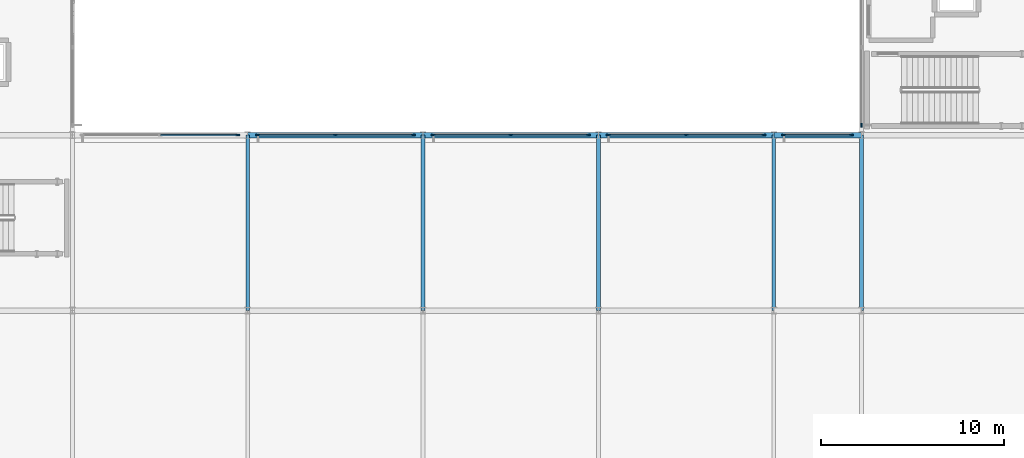
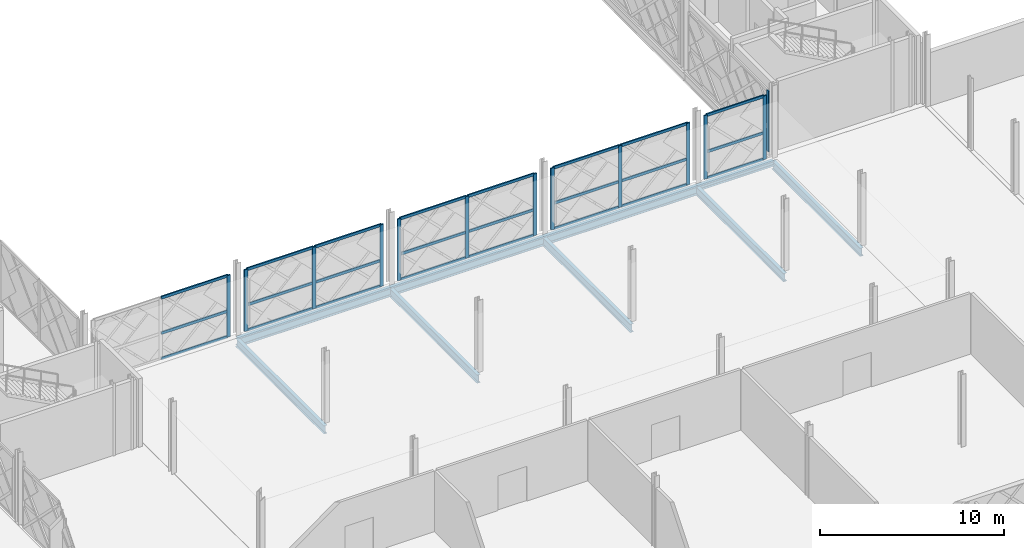
# One storey, part 25 of 77: 37 members, 9 beams, 6 elements without a shape of their own.
"""IFC4 building model written with IfcOpenShell, lengths in metres."""

from ifc_helpers import new_model, si_unit, direction, frame, origin, origin_2d, place, context, subcontext, project, spatial, rectangle, i_section, extrude, material, layer, layer_set, material_profile, profile_set, type_object, element, aggregate, save


model = new_model("IFC4")

# Units and contexts
model_context = context("Model", 3, precision=1e-05, world=origin(), true_north=direction((0.0, 1.0)))
body_context = subcontext(model_context, "Body", "Model", "MODEL_VIEW")
ifc_project = project(units=[si_unit("LENGTHUNIT", "METRE"), si_unit("AREAUNIT", "SQUARE_METRE"), si_unit("VOLUMEUNIT", "CUBIC_METRE"), si_unit("PLANEANGLEUNIT", "RADIAN"), si_unit("MASSUNIT", "GRAM", prefix="KILO")], contexts=[model_context])

# Site, building, storey
site_placement = place(None, origin())
site = spatial("IfcSite", under=ifc_project, at=site_placement, CompositionType="ELEMENT")
building_placement = place(site_placement, origin())
building = spatial("IfcBuilding", under=site, at=building_placement, Name="Zevrakil Square Congress Hotel", CompositionType="ELEMENT")
storey_placement = place(building_placement, frame((0.0, 0.0, 9.89990234375)))
storey = spatial("IfcBuildingStorey", under=building, at=storey_placement, Name="L03", CompositionType="ELEMENT", Elevation=9.89990234375)

# Beams
ifc_material_1 = material(Name="Steel S355", Category="steel")
ifc_material_profile_1 = material_profile(ifc_material_1, i_section(OverallWidth=0.300048828125, OverallDepth=0.31005859375, WebThickness=0.009033203125, FlangeThickness=0.015380859375, FilletRadius=0.027099609375, at=origin_2d()), Name="HEA 320")
ifc_profile_set_1 = profile_set([ifc_material_profile_1], Name="Steel S355")
beam_type_1 = type_object("IfcBeamType", Name="BM-HEA320", PredefinedType="BEAM", material=ifc_profile_set_1)
beam_1_placement = place(storey_placement, frame((103.199951171875, 45.60009765625, -0.414794921875), z_axis=(1.0, 0.0, 0.0), x_axis=(0.0, 1.0, 0.0)))
element("IfcBeam", 1, at=beam_1_placement, inside=storey, type_object=beam_type_1, Name="L03 primary girder BX-1028", PredefinedType="BEAM", context=body_context, shape_type="SweptSolid", body=[
    extrude(i_section(OverallWidth=0.300048828125, OverallDepth=0.31005859375, WebThickness=0.009033203125, FlangeThickness=0.015380859375, FilletRadius=0.027099609375, at=origin_2d()), origin(), (0.0, 0.0, 1.0), 4.800048828125),
])
ifc_material_2 = material(Name="Steel S355", Category="steel")
ifc_material_profile_2 = material_profile(ifc_material_2, i_section(OverallWidth=0.300048828125, OverallDepth=0.5400390625, WebThickness=0.012451171875, FlangeThickness=0.02392578125, FilletRadius=0.027099609375, at=origin_2d()), Name="HEA 550")
ifc_profile_set_2 = profile_set([ifc_material_profile_2], Name="Steel S355")
beam_type_2 = type_object("IfcBeamType", Name="BM-HEA550", PredefinedType="BEAM", material=ifc_profile_set_2)
for number, where, z_axis, x_axis, name in (
    (2, (74.39990234375, 45.60009765625, -0.52978515625), (1.0, 0.0, 0.0), (0.0, 1.0, 0.0), "L03 primary girder BX-1025"),
    (3, (84.0, 45.60009765625, -0.52978515625), (1.0, 0.0, 0.0), (0.0, 1.0, 0.0), "L03 primary girder BX-1026"),
):
    element("IfcBeam", number, at=place(storey_placement, frame(where, z_axis=z_axis, x_axis=x_axis)), inside=storey, type_object=beam_type_2, Name=name, PredefinedType="BEAM", context=body_context, shape_type="SweptSolid", body=[
        extrude(i_section(OverallWidth=0.300048828125, OverallDepth=0.5400390625, WebThickness=0.012451171875, FlangeThickness=0.02392578125, FilletRadius=0.027099609375, at=origin_2d()), origin(), (0.0, 0.0, 1.0), 9.60009765625),
    ])
beam_2_placement = place(storey_placement, frame((93.60009765625, 45.60009765625, -0.52978515625), z_axis=(1.0, 0.0, 0.0), x_axis=(0.0, 1.0, 0.0)))
element("IfcBeam", 4, at=beam_2_placement, inside=storey, type_object=beam_type_2, Name="L03 primary girder BX-1027", PredefinedType="BEAM", context=body_context, shape_type="SweptSolid", body=[
    extrude(i_section(OverallWidth=0.300048828125, OverallDepth=0.5400390625, WebThickness=0.012451171875, FlangeThickness=0.02392578125, FilletRadius=0.027099609375, at=origin_2d()), origin(), (0.0, 0.0, 1.0), 9.599853515625),
])
ifc_material_3 = material(Name="Steel S355", Category="steel")
ifc_material_profile_3 = material_profile(ifc_material_3, i_section(OverallWidth=0.2099609375, OverallDepth=0.550048828125, WebThickness=0.010986328125, FlangeThickness=0.01708984375, FilletRadius=0.02392578125, at=origin_2d()), Name="IPE 550")
ifc_profile_set_3 = profile_set([ifc_material_profile_3], Name="Steel S355")
beam_type_3 = type_object("IfcBeamType", Name="BM-IPE550", PredefinedType="BEAM", material=ifc_profile_set_3)
for number, where, z_axis, x_axis, name in (
    (5, (74.39990234375, 36.0, -0.534912109375), (0.0, 1.0, 0.0), (-1.0, 0.0, 0.0), "L03 primary girder BY-1125"),
    (6, (84.0, 36.0, -0.534912109375), (0.0, 1.0, 0.0), (-1.0, 0.0, 0.0), "L03 primary girder BY-1132"),
    (7, (93.60009765625, 36.0, -0.534912109375), (0.0, 1.0, 0.0), (-1.0, 0.0, 0.0), "L03 primary girder BY-1139"),
    (8, (103.199951171875, 36.0, -0.534912109375), (0.0, 1.0, 0.0), (-1.0, 0.0, 0.0), "L03 primary girder BY-1146"),
    (9, (108.0, 36.0, -0.534912109375), (0.0, 1.0, 0.0), (-1.0, 0.0, 0.0), "L03 primary girder BY-1153"),
):
    element("IfcBeam", number, at=place(storey_placement, frame(where, z_axis=z_axis, x_axis=x_axis)), inside=storey, type_object=beam_type_3, Name=name, PredefinedType="BEAM", context=body_context, shape_type="SweptSolid", body=[
        extrude(i_section(OverallWidth=0.2099609375, OverallDepth=0.550048828125, WebThickness=0.010986328125, FlangeThickness=0.01708984375, FilletRadius=0.02392578125, at=origin_2d()), origin(), (0.0, 0.0, 1.0), 9.60009765625),
    ])

# Curtain wall, members
ifc_material_4 = material(Name="Aluminium Anodised Bronze", Category="aluminium")
ifc_layer_1 = layer(ifc_material_4, 0.179931640625)
ifc_layer_set_1 = layer_set([ifc_layer_1], Name="Aluminium Anodised Bronze")
curtain_wall_type_1 = type_object("IfcCurtainWallType", Name="CW-L03-840", PredefinedType="USERDEFINED", material=ifc_layer_set_1)
curtain_wall_1_placement = place(storey_placement, origin())
curtain_wall_1 = element("IfcCurtainWall", 10, at=curtain_wall_1_placement, inside=storey, type_object=curtain_wall_type_1, Name="L03 diamond curtain wall CW-L03-0100", ObjectType="GLAZED CURTAIN WALL", PredefinedType="USERDEFINED")
ifc_material_5 = material(Name="Aluminium Anodised Bronze", Category="aluminium")
ifc_material_profile_4 = material_profile(ifc_material_5, rectangle(XDim=0.0849609375, YDim=0.179931640625, at=origin_2d()), Name="ALU 85x180")
ifc_profile_set_4 = profile_set([ifc_material_profile_4], Name="Aluminium Anodised Bronze")
member_type_1 = type_object("IfcMemberType", Name="CWM-ALU85x180", PredefinedType="USERDEFINED", material=ifc_profile_set_4)
member_1_placement = place(storey_placement, frame((69.6298828125, 45.60009765625, 0.030029296875), z_axis=(1.0, 0.0, 0.0), x_axis=(0.0, 1.0, 0.0)))
member_1 = element("IfcMember", 11, at=member_1_placement, type_object=member_type_1, Name="CW-35 transom 2.1", ObjectType="TRANSOM", PredefinedType="USERDEFINED", context=body_context, shape_type="SweptSolid", body=[
    extrude(rectangle(XDim=0.0849609375, YDim=0.179931640625, at=origin_2d()), origin(), (0.0, 0.0, 1.0), 4.190185546875),
])
member_2_placement = place(storey_placement, frame((69.6298828125, 45.60009765625, 1.7158203125), z_axis=(1.0, 0.0, 0.0), x_axis=(0.0, 1.0, 0.0)))
member_2 = element("IfcMember", 12, at=member_2_placement, type_object=member_type_1, Name="CW-35 transom 2.2", ObjectType="TRANSOM", PredefinedType="USERDEFINED", context=body_context, shape_type="SweptSolid", body=[
    extrude(rectangle(XDim=0.0849609375, YDim=0.179931640625, at=origin_2d()), origin(), (0.0, 0.0, 1.0), 4.190185546875),
])
member_3_placement = place(storey_placement, frame((69.6298828125, 45.60009765625, 4.05517578125), z_axis=(1.0, 0.0, 0.0), x_axis=(0.0, 1.0, 0.0)))
member_3 = element("IfcMember", 13, at=member_3_placement, type_object=member_type_1, Name="CW-35 transom 2.3", ObjectType="TRANSOM", PredefinedType="USERDEFINED", context=body_context, shape_type="SweptSolid", body=[
    extrude(rectangle(XDim=0.0849609375, YDim=0.179931640625, at=origin_2d()), origin(), (0.0, 0.0, 1.0), 4.190185546875),
])

curtain_wall_2_placement = place(storey_placement, origin())
curtain_wall_2 = element("IfcCurtainWall", 14, at=curtain_wall_2_placement, inside=storey, type_object=curtain_wall_type_1, Name="L03 diamond curtain wall CW-L03-0104", ObjectType="GLAZED CURTAIN WALL", PredefinedType="USERDEFINED")
member_4_placement = place(storey_placement, frame((74.97998046875, 45.60009765625, 0.030029296875), z_axis=(1.0, 0.0, 0.0), x_axis=(0.0, 1.0, 0.0)))
member_4 = element("IfcMember", 15, at=member_4_placement, type_object=member_type_1, Name="CW-35 transom 1.1", ObjectType="TRANSOM", PredefinedType="USERDEFINED", context=body_context, shape_type="SweptSolid", body=[
    extrude(rectangle(XDim=0.0849609375, YDim=0.179931640625, at=origin_2d()), origin(), (0.0, 0.0, 1.0), 4.18994140625),
])
member_5_placement = place(storey_placement, frame((74.97998046875, 45.60009765625, 1.7158203125), z_axis=(1.0, 0.0, 0.0), x_axis=(0.0, 1.0, 0.0)))
member_5 = element("IfcMember", 16, at=member_5_placement, type_object=member_type_1, Name="CW-35 transom 1.2", ObjectType="TRANSOM", PredefinedType="USERDEFINED", context=body_context, shape_type="SweptSolid", body=[
    extrude(rectangle(XDim=0.0849609375, YDim=0.179931640625, at=origin_2d()), origin(), (0.0, 0.0, 1.0), 4.18994140625),
])
member_6_placement = place(storey_placement, frame((74.97998046875, 45.60009765625, 4.05517578125), z_axis=(1.0, 0.0, 0.0), x_axis=(0.0, 1.0, 0.0)))
member_6 = element("IfcMember", 17, at=member_6_placement, type_object=member_type_1, Name="CW-35 transom 1.3", ObjectType="TRANSOM", PredefinedType="USERDEFINED", context=body_context, shape_type="SweptSolid", body=[
    extrude(rectangle(XDim=0.0849609375, YDim=0.179931640625, at=origin_2d()), origin(), (0.0, 0.0, 1.0), 4.18994140625),
])
member_7_placement = place(storey_placement, frame((79.22998046875, 45.60009765625, 0.030029296875), z_axis=(1.0, 0.0, 0.0), x_axis=(0.0, 1.0, 0.0)))
member_7 = element("IfcMember", 18, at=member_7_placement, type_object=member_type_1, Name="CW-35 transom 2.1", ObjectType="TRANSOM", PredefinedType="USERDEFINED", context=body_context, shape_type="SweptSolid", body=[
    extrude(rectangle(XDim=0.0849609375, YDim=0.179931640625, at=origin_2d()), origin(), (0.0, 0.0, 1.0), 4.18994140625),
])
member_8_placement = place(storey_placement, frame((79.22998046875, 45.60009765625, 1.7158203125), z_axis=(1.0, 0.0, 0.0), x_axis=(0.0, 1.0, 0.0)))
member_8 = element("IfcMember", 19, at=member_8_placement, type_object=member_type_1, Name="CW-35 transom 2.2", ObjectType="TRANSOM", PredefinedType="USERDEFINED", context=body_context, shape_type="SweptSolid", body=[
    extrude(rectangle(XDim=0.0849609375, YDim=0.179931640625, at=origin_2d()), origin(), (0.0, 0.0, 1.0), 4.18994140625),
])
member_9_placement = place(storey_placement, frame((79.22998046875, 45.60009765625, 4.05517578125), z_axis=(1.0, 0.0, 0.0), x_axis=(0.0, 1.0, 0.0)))
member_9 = element("IfcMember", 20, at=member_9_placement, type_object=member_type_1, Name="CW-35 transom 2.3", ObjectType="TRANSOM", PredefinedType="USERDEFINED", context=body_context, shape_type="SweptSolid", body=[
    extrude(rectangle(XDim=0.0849609375, YDim=0.179931640625, at=origin_2d()), origin(), (0.0, 0.0, 1.0), 4.18994140625),
])

curtain_wall_3_placement = place(storey_placement, origin())
curtain_wall_3 = element("IfcCurtainWall", 21, at=curtain_wall_3_placement, inside=storey, type_object=curtain_wall_type_1, Name="L03 diamond curtain wall CW-L03-0108", ObjectType="GLAZED CURTAIN WALL", PredefinedType="USERDEFINED")
member_10_placement = place(storey_placement, frame((84.580078125, 45.60009765625, 0.030029296875), z_axis=(1.0, 0.0, 0.0), x_axis=(0.0, 1.0, 0.0)))
member_10 = element("IfcMember", 22, at=member_10_placement, type_object=member_type_1, Name="CW-35 transom 1.1", ObjectType="TRANSOM", PredefinedType="USERDEFINED", context=body_context, shape_type="SweptSolid", body=[
    extrude(rectangle(XDim=0.0849609375, YDim=0.179931640625, at=origin_2d()), origin(), (0.0, 0.0, 1.0), 4.18994140625),
])
member_11_placement = place(storey_placement, frame((84.580078125, 45.60009765625, 1.7158203125), z_axis=(1.0, 0.0, 0.0), x_axis=(0.0, 1.0, 0.0)))
member_11 = element("IfcMember", 23, at=member_11_placement, type_object=member_type_1, Name="CW-35 transom 1.2", ObjectType="TRANSOM", PredefinedType="USERDEFINED", context=body_context, shape_type="SweptSolid", body=[
    extrude(rectangle(XDim=0.0849609375, YDim=0.179931640625, at=origin_2d()), origin(), (0.0, 0.0, 1.0), 4.18994140625),
])
member_12_placement = place(storey_placement, frame((84.580078125, 45.60009765625, 4.05517578125), z_axis=(1.0, 0.0, 0.0), x_axis=(0.0, 1.0, 0.0)))
member_12 = element("IfcMember", 24, at=member_12_placement, type_object=member_type_1, Name="CW-35 transom 1.3", ObjectType="TRANSOM", PredefinedType="USERDEFINED", context=body_context, shape_type="SweptSolid", body=[
    extrude(rectangle(XDim=0.0849609375, YDim=0.179931640625, at=origin_2d()), origin(), (0.0, 0.0, 1.0), 4.18994140625),
])
member_13_placement = place(storey_placement, frame((88.830078125, 45.60009765625, 0.030029296875), z_axis=(1.0, 0.0, 0.0), x_axis=(0.0, 1.0, 0.0)))
member_13 = element("IfcMember", 25, at=member_13_placement, type_object=member_type_1, Name="CW-35 transom 2.1", ObjectType="TRANSOM", PredefinedType="USERDEFINED", context=body_context, shape_type="SweptSolid", body=[
    extrude(rectangle(XDim=0.0849609375, YDim=0.179931640625, at=origin_2d()), origin(), (0.0, 0.0, 1.0), 4.18994140625),
])
member_14_placement = place(storey_placement, frame((88.830078125, 45.60009765625, 1.7158203125), z_axis=(1.0, 0.0, 0.0), x_axis=(0.0, 1.0, 0.0)))
member_14 = element("IfcMember", 26, at=member_14_placement, type_object=member_type_1, Name="CW-35 transom 2.2", ObjectType="TRANSOM", PredefinedType="USERDEFINED", context=body_context, shape_type="SweptSolid", body=[
    extrude(rectangle(XDim=0.0849609375, YDim=0.179931640625, at=origin_2d()), origin(), (0.0, 0.0, 1.0), 4.18994140625),
])
member_15_placement = place(storey_placement, frame((88.830078125, 45.60009765625, 4.05517578125), z_axis=(1.0, 0.0, 0.0), x_axis=(0.0, 1.0, 0.0)))
member_15 = element("IfcMember", 27, at=member_15_placement, type_object=member_type_1, Name="CW-35 transom 2.3", ObjectType="TRANSOM", PredefinedType="USERDEFINED", context=body_context, shape_type="SweptSolid", body=[
    extrude(rectangle(XDim=0.0849609375, YDim=0.179931640625, at=origin_2d()), origin(), (0.0, 0.0, 1.0), 4.18994140625),
])

curtain_wall_4_placement = place(storey_placement, origin())
curtain_wall_4 = element("IfcCurtainWall", 28, at=curtain_wall_4_placement, inside=storey, type_object=curtain_wall_type_1, Name="L03 diamond curtain wall CW-L03-0112", ObjectType="GLAZED CURTAIN WALL", PredefinedType="USERDEFINED")
member_16_placement = place(storey_placement, frame((94.179931640625, 45.60009765625, 0.030029296875), z_axis=(1.0, 0.0, 0.0), x_axis=(0.0, 1.0, 0.0)))
member_16 = element("IfcMember", 29, at=member_16_placement, type_object=member_type_1, Name="CW-35 transom 1.1", ObjectType="TRANSOM", PredefinedType="USERDEFINED", context=body_context, shape_type="SweptSolid", body=[
    extrude(rectangle(XDim=0.0849609375, YDim=0.179931640625, at=origin_2d()), origin(), (0.0, 0.0, 1.0), 4.190185546875),
])
member_17_placement = place(storey_placement, frame((94.179931640625, 45.60009765625, 1.7158203125), z_axis=(1.0, 0.0, 0.0), x_axis=(0.0, 1.0, 0.0)))
member_17 = element("IfcMember", 30, at=member_17_placement, type_object=member_type_1, Name="CW-35 transom 1.2", ObjectType="TRANSOM", PredefinedType="USERDEFINED", context=body_context, shape_type="SweptSolid", body=[
    extrude(rectangle(XDim=0.0849609375, YDim=0.179931640625, at=origin_2d()), origin(), (0.0, 0.0, 1.0), 4.190185546875),
])
member_18_placement = place(storey_placement, frame((94.179931640625, 45.60009765625, 4.05517578125), z_axis=(1.0, 0.0, 0.0), x_axis=(0.0, 1.0, 0.0)))
member_18 = element("IfcMember", 31, at=member_18_placement, type_object=member_type_1, Name="CW-35 transom 1.3", ObjectType="TRANSOM", PredefinedType="USERDEFINED", context=body_context, shape_type="SweptSolid", body=[
    extrude(rectangle(XDim=0.0849609375, YDim=0.179931640625, at=origin_2d()), origin(), (0.0, 0.0, 1.0), 4.190185546875),
])
member_19_placement = place(storey_placement, frame((98.429931640625, 45.60009765625, 0.030029296875), z_axis=(1.0, 0.0, 0.0), x_axis=(0.0, 1.0, 0.0)))
member_19 = element("IfcMember", 32, at=member_19_placement, type_object=member_type_1, Name="CW-35 transom 2.1", ObjectType="TRANSOM", PredefinedType="USERDEFINED", context=body_context, shape_type="SweptSolid", body=[
    extrude(rectangle(XDim=0.0849609375, YDim=0.179931640625, at=origin_2d()), origin(), (0.0, 0.0, 1.0), 4.190185546875),
])
member_20_placement = place(storey_placement, frame((98.429931640625, 45.60009765625, 1.7158203125), z_axis=(1.0, 0.0, 0.0), x_axis=(0.0, 1.0, 0.0)))
member_20 = element("IfcMember", 33, at=member_20_placement, type_object=member_type_1, Name="CW-35 transom 2.2", ObjectType="TRANSOM", PredefinedType="USERDEFINED", context=body_context, shape_type="SweptSolid", body=[
    extrude(rectangle(XDim=0.0849609375, YDim=0.179931640625, at=origin_2d()), origin(), (0.0, 0.0, 1.0), 4.190185546875),
])
member_21_placement = place(storey_placement, frame((98.429931640625, 45.60009765625, 4.05517578125), z_axis=(1.0, 0.0, 0.0), x_axis=(0.0, 1.0, 0.0)))
member_21 = element("IfcMember", 34, at=member_21_placement, type_object=member_type_1, Name="CW-35 transom 2.3", ObjectType="TRANSOM", PredefinedType="USERDEFINED", context=body_context, shape_type="SweptSolid", body=[
    extrude(rectangle(XDim=0.0849609375, YDim=0.179931640625, at=origin_2d()), origin(), (0.0, 0.0, 1.0), 4.190185546875),
])

ifc_material_6 = material(Name="Aluminium Anodised Bronze", Category="aluminium")
ifc_layer_2 = layer(ifc_material_6, 0.179931640625)
ifc_layer_set_2 = layer_set([ifc_layer_2], Name="Aluminium Anodised Bronze")
curtain_wall_type_2 = type_object("IfcCurtainWallType", Name="CW-L03-360", PredefinedType="USERDEFINED", material=ifc_layer_set_2)
curtain_wall_5_placement = place(storey_placement, origin())
curtain_wall_5 = element("IfcCurtainWall", 35, at=curtain_wall_5_placement, inside=storey, type_object=curtain_wall_type_2, Name="L03 diamond curtain wall CW-L03-0116", ObjectType="GLAZED CURTAIN WALL", PredefinedType="USERDEFINED")
member_22_placement = place(storey_placement, frame((103.780029296875, 45.60009765625, 0.030029296875), z_axis=(1.0, 0.0, 0.0), x_axis=(0.0, 1.0, 0.0)))
member_22 = element("IfcMember", 36, at=member_22_placement, type_object=member_type_1, Name="CW-28 transom 1.1", ObjectType="TRANSOM", PredefinedType="USERDEFINED", context=body_context, shape_type="SweptSolid", body=[
    extrude(rectangle(XDim=0.0849609375, YDim=0.179931640625, at=origin_2d()), origin(), (0.0, 0.0, 1.0), 3.639892578125),
])
member_23_placement = place(storey_placement, frame((103.780029296875, 45.60009765625, 1.7705078125), z_axis=(1.0, 0.0, 0.0), x_axis=(0.0, 1.0, 0.0)))
member_23 = element("IfcMember", 37, at=member_23_placement, type_object=member_type_1, Name="CW-28 transom 1.2", ObjectType="TRANSOM", PredefinedType="USERDEFINED", context=body_context, shape_type="SweptSolid", body=[
    extrude(rectangle(XDim=0.0849609375, YDim=0.179931640625, at=origin_2d()), origin(), (0.0, 0.0, 1.0), 3.639892578125),
])
member_24_placement = place(storey_placement, frame((103.780029296875, 45.60009765625, 4.18505859375), z_axis=(1.0, 0.0, 0.0), x_axis=(0.0, 1.0, 0.0)))
member_24 = element("IfcMember", 38, at=member_24_placement, type_object=member_type_1, Name="CW-28 transom 1.3", ObjectType="TRANSOM", PredefinedType="USERDEFINED", context=body_context, shape_type="SweptSolid", body=[
    extrude(rectangle(XDim=0.0849609375, YDim=0.179931640625, at=origin_2d()), origin(), (0.0, 0.0, 1.0), 3.639892578125),
])

# Member
ifc_material_7 = material(Name="Aluminium Anodised Bronze", Category="aluminium")
ifc_material_profile_5 = material_profile(ifc_material_7, rectangle(XDim=0.0849609375, YDim=0.219970703125, at=origin_2d()), Name="ALU 85x220")
ifc_profile_set_5 = profile_set([ifc_material_profile_5], Name="Aluminium Anodised Bronze")
member_type_2 = type_object("IfcMemberType", Name="CWM-ALU85x220", PredefinedType="MULLION", material=ifc_profile_set_5)
member_25_placement = place(storey_placement, frame((73.85009765625, 45.60009765625, 0.0), z_axis=(0.0, 0.0, 1.0), x_axis=(0.0, 1.0, 0.0)))
member_25 = element("IfcMember", 39, at=member_25_placement, type_object=member_type_2, Name="CW-35 mullion 3", PredefinedType="MULLION", context=body_context, shape_type="SweptSolid", body=[
    extrude(rectangle(XDim=0.0849609375, YDim=0.219970703125, at=origin_2d()), origin(), (0.0, 0.0, 1.0), 4.085205078125),
])

aggregate(curtain_wall_1, [member_25, member_1, member_2, member_3])

member_26_placement = place(storey_placement, frame((74.949951171875, 45.60009765625, 0.0), z_axis=(0.0, 0.0, 1.0), x_axis=(0.0, 1.0, 0.0)))
member_26 = element("IfcMember", 40, at=member_26_placement, type_object=member_type_2, Name="CW-35 mullion 1", PredefinedType="MULLION", context=body_context, shape_type="SweptSolid", body=[
    extrude(rectangle(XDim=0.0849609375, YDim=0.219970703125, at=origin_2d()), origin(), (0.0, 0.0, 1.0), 4.085205078125),
])

member_27_placement = place(storey_placement, frame((79.199951171875, 45.60009765625, 0.0), z_axis=(0.0, 0.0, 1.0), x_axis=(0.0, 1.0, 0.0)))
member_27 = element("IfcMember", 41, at=member_27_placement, type_object=member_type_2, Name="CW-35 mullion 2", PredefinedType="MULLION", context=body_context, shape_type="SweptSolid", body=[
    extrude(rectangle(XDim=0.0849609375, YDim=0.219970703125, at=origin_2d()), origin(), (0.0, 0.0, 1.0), 4.085205078125),
])

member_28_placement = place(storey_placement, frame((83.449951171875, 45.60009765625, 0.0), z_axis=(0.0, 0.0, 1.0), x_axis=(0.0, 1.0, 0.0)))
member_28 = element("IfcMember", 42, at=member_28_placement, type_object=member_type_2, Name="CW-35 mullion 3", PredefinedType="MULLION", context=body_context, shape_type="SweptSolid", body=[
    extrude(rectangle(XDim=0.0849609375, YDim=0.219970703125, at=origin_2d()), origin(), (0.0, 0.0, 1.0), 4.085205078125),
])

aggregate(curtain_wall_2, [member_26, member_27, member_28, member_4, member_5, member_6, member_7, member_8, member_9])

member_29_placement = place(storey_placement, frame((84.550048828125, 45.60009765625, 0.0), z_axis=(0.0, 0.0, 1.0), x_axis=(0.0, 1.0, 0.0)))
member_29 = element("IfcMember", 43, at=member_29_placement, type_object=member_type_2, Name="CW-35 mullion 1", PredefinedType="MULLION", context=body_context, shape_type="SweptSolid", body=[
    extrude(rectangle(XDim=0.0849609375, YDim=0.219970703125, at=origin_2d()), origin(), (0.0, 0.0, 1.0), 4.085205078125),
])

member_30_placement = place(storey_placement, frame((88.800048828125, 45.60009765625, 0.0), z_axis=(0.0, 0.0, 1.0), x_axis=(0.0, 1.0, 0.0)))
member_30 = element("IfcMember", 44, at=member_30_placement, type_object=member_type_2, Name="CW-35 mullion 2", PredefinedType="MULLION", context=body_context, shape_type="SweptSolid", body=[
    extrude(rectangle(XDim=0.0849609375, YDim=0.219970703125, at=origin_2d()), origin(), (0.0, 0.0, 1.0), 4.085205078125),
])

member_31_placement = place(storey_placement, frame((93.050048828125, 45.60009765625, 0.0), z_axis=(0.0, 0.0, 1.0), x_axis=(0.0, 1.0, 0.0)))
member_31 = element("IfcMember", 45, at=member_31_placement, type_object=member_type_2, Name="CW-35 mullion 3", PredefinedType="MULLION", context=body_context, shape_type="SweptSolid", body=[
    extrude(rectangle(XDim=0.0849609375, YDim=0.219970703125, at=origin_2d()), origin(), (0.0, 0.0, 1.0), 4.085205078125),
])

aggregate(curtain_wall_3, [member_29, member_30, member_31, member_10, member_11, member_12, member_13, member_14, member_15])

member_32_placement = place(storey_placement, frame((94.14990234375, 45.60009765625, 0.0), z_axis=(0.0, 0.0, 1.0), x_axis=(0.0, 1.0, 0.0)))
member_32 = element("IfcMember", 46, at=member_32_placement, type_object=member_type_2, Name="CW-35 mullion 1", PredefinedType="MULLION", context=body_context, shape_type="SweptSolid", body=[
    extrude(rectangle(XDim=0.0849609375, YDim=0.219970703125, at=origin_2d()), origin(), (0.0, 0.0, 1.0), 4.085205078125),
])

member_33_placement = place(storey_placement, frame((98.39990234375, 45.60009765625, 0.0), z_axis=(0.0, 0.0, 1.0), x_axis=(0.0, 1.0, 0.0)))
member_33 = element("IfcMember", 47, at=member_33_placement, type_object=member_type_2, Name="CW-35 mullion 2", PredefinedType="MULLION", context=body_context, shape_type="SweptSolid", body=[
    extrude(rectangle(XDim=0.0849609375, YDim=0.219970703125, at=origin_2d()), origin(), (0.0, 0.0, 1.0), 4.085205078125),
])

member_34_placement = place(storey_placement, frame((102.64990234375, 45.60009765625, 0.0), z_axis=(0.0, 0.0, 1.0), x_axis=(0.0, 1.0, 0.0)))
member_34 = element("IfcMember", 48, at=member_34_placement, type_object=member_type_2, Name="CW-35 mullion 3", PredefinedType="MULLION", context=body_context, shape_type="SweptSolid", body=[
    extrude(rectangle(XDim=0.0849609375, YDim=0.219970703125, at=origin_2d()), origin(), (0.0, 0.0, 1.0), 4.085205078125),
])

aggregate(curtain_wall_4, [member_32, member_33, member_34, member_16, member_17, member_18, member_19, member_20, member_21])

member_35_placement = place(storey_placement, frame((103.75, 45.60009765625, 0.0), z_axis=(0.0, 0.0, 1.0), x_axis=(0.0, 1.0, 0.0)))
member_35 = element("IfcMember", 49, at=member_35_placement, type_object=member_type_2, Name="CW-28 mullion 1", PredefinedType="MULLION", context=body_context, shape_type="SweptSolid", body=[
    extrude(rectangle(XDim=0.0849609375, YDim=0.219970703125, at=origin_2d()), origin(), (0.0, 0.0, 1.0), 4.215087890625),
])

member_36_placement = place(storey_placement, frame((107.449951171875, 45.60009765625, 0.0), z_axis=(0.0, 0.0, 1.0), x_axis=(0.0, 1.0, 0.0)))
member_36 = element("IfcMember", 50, at=member_36_placement, type_object=member_type_2, Name="CW-28 mullion 2", PredefinedType="MULLION", context=body_context, shape_type="SweptSolid", body=[
    extrude(rectangle(XDim=0.0849609375, YDim=0.219970703125, at=origin_2d()), origin(), (0.0, 0.0, 1.0), 4.215087890625),
])

aggregate(curtain_wall_5, [member_35, member_36, member_22, member_23, member_24])

# Curtain wall, member
curtain_wall_6_placement = place(storey_placement, origin())
curtain_wall_6 = element("IfcCurtainWall", 51, at=curtain_wall_6_placement, inside=storey, type_object=curtain_wall_type_1, Name="L03 diamond curtain wall CW-L03-0124", ObjectType="GLAZED CURTAIN WALL", PredefinedType="USERDEFINED")
member_37_placement = place(storey_placement, frame((108.0, 46.14990234375, 0.0), z_axis=(0.0, 0.0, 1.0), x_axis=(-1.0, 0.0, 0.0)))
member_37 = element("IfcMember", 52, at=member_37_placement, type_object=member_type_2, Name="CW-35 mullion 1", PredefinedType="MULLION", context=body_context, shape_type="SweptSolid", body=[
    extrude(rectangle(XDim=0.0849609375, YDim=0.219970703125, at=origin_2d()), origin(), (0.0, 0.0, 1.0), 4.025146484375),
])
aggregate(curtain_wall_6, [member_37])

save(model, "model.ifc")
